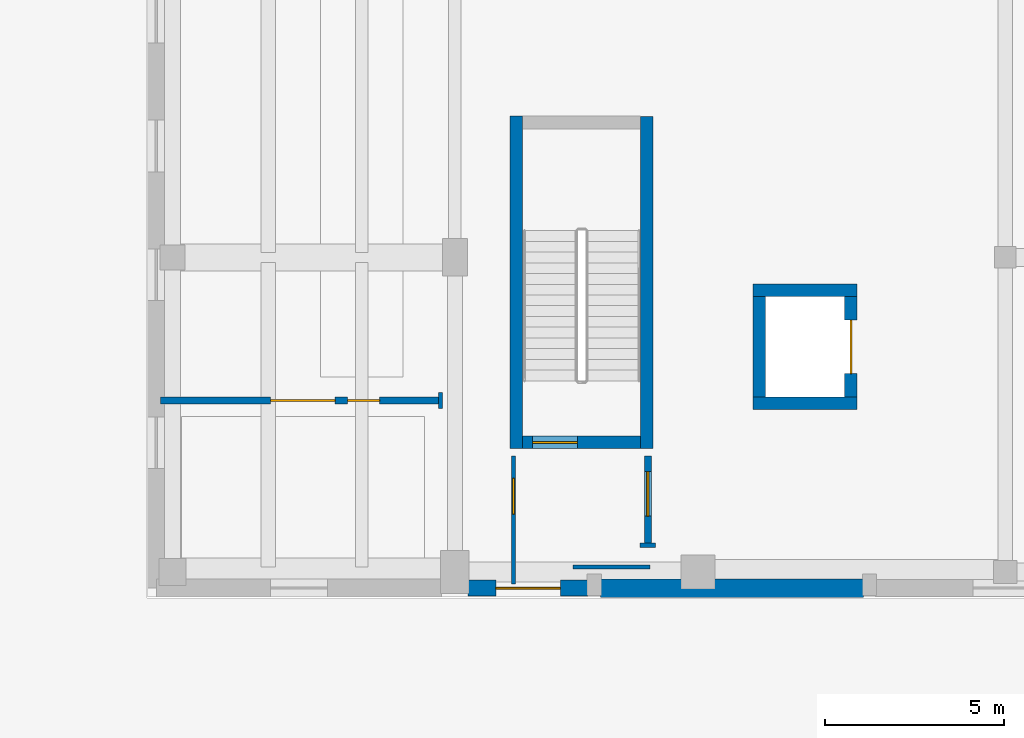
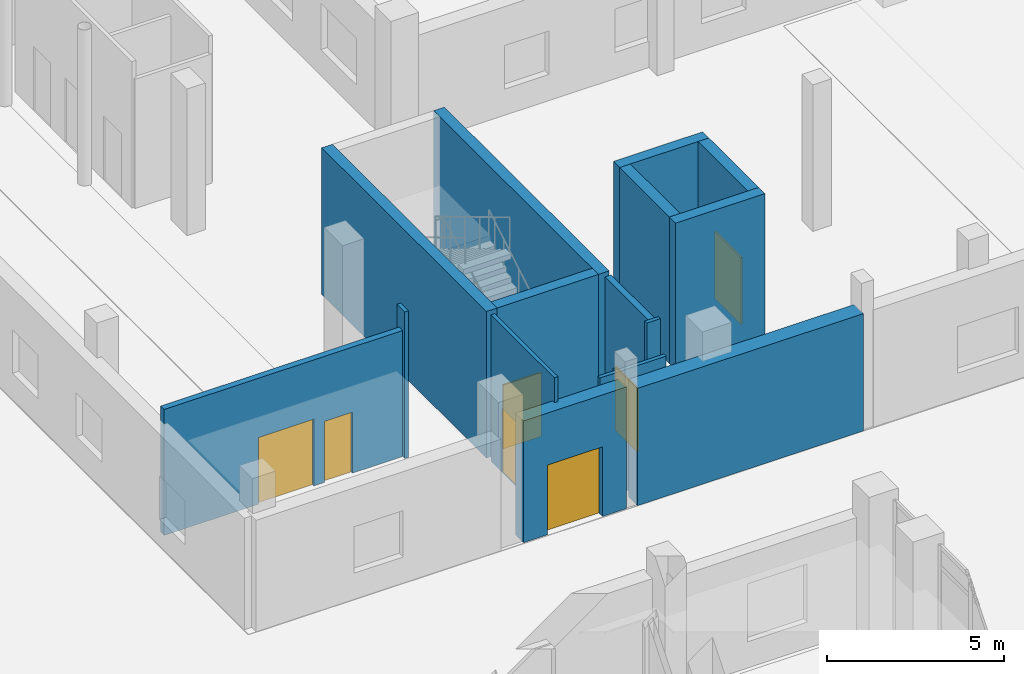
# One storey, part 47 of 74: 15 walls, 7 doors, 7 openings.
"""IFC4 building model written with IfcOpenShell, lengths in metres."""

import ifcopenshell
import ifcopenshell.guid

model = None  # the IFC model being written
_history = None  # IfcOwnerHistory: only IFC2X3 demands one
_inside = {}  # id of a spatial element -> (the spatial element, [elements in it])
_under = {}  # id of a project, library or spatial element -> (it, [spatial elements below it])
_declared = {}  # id of a project -> (the project, [libraries it declares])
_typed = {}  # id of a type object -> (the type object, [elements of that type])
_made_of = {}  # id of a material, layer set ... -> (it, [elements and type objects made of it])


def new_model(schema):
    """Start an empty IFC model of exactly this schema.

    Asked for "IFC4X3", IfcOpenShell would pick the latest addendum, in which some entities
    have other attributes; the version numbers below select the first issue.
    IFC2X3 requires an IfcOwnerHistory on every rooted entity: one is made here for all.
    """
    global model, _history
    if schema == "IFC4X3":
        model = ifcopenshell.file(schema_version=(4, 3, 0, 0))
    else:
        model = ifcopenshell.file(schema=schema)
    _inside.clear()
    _under.clear()
    _declared.clear()
    _typed.clear()
    _made_of.clear()
    _history = None
    if model.schema == "IFC2X3":
        org = make("IfcOrganization", Name="unknown")
        user = make(
            "IfcPersonAndOrganization",
            ThePerson=make("IfcPerson", FamilyName="unknown"),
            TheOrganization=org,
        )
        app = make(
            "IfcApplication",
            ApplicationDeveloper=org,
            Version="unknown",
            ApplicationFullName="unknown",
            ApplicationIdentifier="unknown",
        )
        _history = make(
            "IfcOwnerHistory",
            OwningUser=user,
            OwningApplication=app,
            ChangeAction="ADDED",
            CreationDate=0,
        )
    return model


def make(cls, **values):
    """One entity of the class cls with the attributes given. An attribute that is None is left unset."""
    return model.create_entity(
        cls, **{name: value for name, value in values.items() if value is not None}
    )


def rooted(cls, **values):
    """An entity with a GlobalId (a new one), such as an element, a storey or a relation."""
    return make(cls, GlobalId=ifcopenshell.guid.new(), OwnerHistory=_history, **values)


def si_unit(unit_type, name, prefix=None):
    """IfcSIUnit, for example si_unit("LENGTHUNIT", "METRE", prefix="MILLI")."""
    return make("IfcSIUnit", UnitType=unit_type, Prefix=prefix, Name=name)


def assignment(units):
    """IfcUnitAssignment: the units of a project."""
    return None if units is None else make("IfcUnitAssignment", Units=units)


def point(xyz):
    """IfcCartesianPoint."""
    return None if xyz is None else make("IfcCartesianPoint", Coordinates=xyz)


def direction(xyz):
    """IfcDirection."""
    return None if xyz is None else make("IfcDirection", DirectionRatios=xyz)


def frame(location, z_axis=None, x_axis=None):
    """IfcAxis2Placement3D, a coordinate frame: its origin and axes. An axis left out is left unset."""
    return make(
        "IfcAxis2Placement3D",
        Location=point(location),
        Axis=direction(z_axis),
        RefDirection=direction(x_axis),
    )


def frame_2d(location, x_axis=None):
    """IfcAxis2Placement2D, a coordinate frame in the plane: its origin and x axis."""
    return make(
        "IfcAxis2Placement2D", Location=point(location), RefDirection=direction(x_axis)
    )


def origin():
    """The frame at (0, 0, 0) with its axes left unset."""
    return frame((0.0, 0.0, 0.0))


def place(relative_to, where):
    """IfcLocalPlacement: puts the frame where relative to a parent placement (None: the world)."""
    return make(
        "IfcLocalPlacement", PlacementRelTo=relative_to, RelativePlacement=where
    )


def context(
    kind, dimensions, precision=None, world=None, true_north=None, identifier=None
):
    """IfcGeometricRepresentationContext, for example the 3D "Model" context."""
    return make(
        "IfcGeometricRepresentationContext",
        ContextIdentifier=identifier,
        ContextType=kind,
        CoordinateSpaceDimension=dimensions,
        Precision=precision,
        WorldCoordinateSystem=world,
        TrueNorth=true_north,
    )


def subcontext(parent, identifier, kind, view, scale=None):
    """IfcGeometricRepresentationSubContext, for example "Body" below "Model"."""
    return make(
        "IfcGeometricRepresentationSubContext",
        ContextIdentifier=identifier,
        ContextType=kind,
        ParentContext=parent,
        TargetScale=scale,
        TargetView=view,
    )


def project(units=None, contexts=None):
    """IfcProject with its units and contexts."""
    return rooted(
        "IfcProject",
        Name="project",
        RepresentationContexts=contexts,
        UnitsInContext=assignment(units),
    )


def spatial(cls, under=None, at=None, **own):
    """A site, building, storey or space (cls), placed at a placement, below another one or the project."""
    s = rooted(cls, ObjectPlacement=at, **own)
    if under is not None:
        _under.setdefault(under.id(), (under, []))[1].append(s)
    return s


def profile(cls, at=None, kind="AREA", **sizes):
    """A parametric profile (cls). Its sizes go by their IFC names, for example OverallWidth=200.0."""
    return make(cls, ProfileType=kind, Position=at, **sizes)


def rectangle(**sizes):
    """IfcRectangleProfileDef."""
    return profile("IfcRectangleProfileDef", **sizes)


def extrude(swept, where, along, depth):
    """IfcExtrudedAreaSolid: the profile swept, set in the frame where, extruded along a direction by depth."""
    return make(
        "IfcExtrudedAreaSolid",
        SweptArea=swept,
        Position=where,
        ExtrudedDirection=direction(along),
        Depth=depth,
    )


def shape(context_of_items, identifier, shape_type, items):
    """IfcShapeRepresentation: the items that make up one representation, for example the "Body"."""
    return make(
        "IfcShapeRepresentation",
        ContextOfItems=context_of_items,
        RepresentationIdentifier=identifier,
        RepresentationType=shape_type,
        Items=items,
    )


def material(Name=None, Category=None):
    """IfcMaterial."""
    return make("IfcMaterial", Name=Name, Category=Category)


def layer(
    of_material, thickness, ventilated=None, Name=None, Category=None, Priority=None
):
    """IfcMaterialLayer: one layer of a wall or slab, of a material (None: an air gap)."""
    return make(
        "IfcMaterialLayer",
        Material=of_material,
        LayerThickness=thickness,
        IsVentilated=ventilated,
        Name=Name,
        Category=Category,
        Priority=Priority,
    )


def layer_set(layers, Name=None):
    """IfcMaterialLayerSet."""
    return make("IfcMaterialLayerSet", MaterialLayers=layers, LayerSetName=Name)


def made_of(thing, what):
    """Note that an element or type object is made of a material, layer set ...; save() writes the relation."""
    if what is not None:
        _made_of.setdefault(what.id(), (what, []))[1].append(thing)
    return thing


def type_object(cls, material=None, **own):
    """A type object (cls), such as IfcWallType, which elements share."""
    return made_of(rooted(cls, **own), material)


def element(
    cls,
    number,
    at=None,
    inside=None,
    cuts=None,
    type_object=None,
    material=None,
    context=None,
    identifier="Body",
    shape_type=None,
    held_by="IfcProductDefinitionShape",
    body=None,
    shapes=None,
    **own,
):
    """One element of the class cls, such as IfcWall. Its Tag is "e" and its number.

    at: its placement. inside: the storey or other place that contains it. cuts: it is an
    opening in that element (IfcRelVoidsElement). A single representation is given by context,
    identifier, shape_type and body (its items); several are given by shapes. held_by: the class
    of the entity that holds the representations. save() writes the other relations.
    """
    e = rooted(cls, Tag="e%d" % number, ObjectPlacement=at, **own)
    if body is not None:
        shapes = [shape(context, identifier, shape_type, body)]
    if shapes is not None:
        e.Representation = make(held_by, Representations=shapes)
    if inside is not None:
        _inside.setdefault(inside.id(), (inside, []))[1].append(e)
    if cuts is not None:
        rooted(
            "IfcRelVoidsElement", RelatingBuildingElement=cuts, RelatedOpeningElement=e
        )
    if type_object is not None:
        _typed.setdefault(type_object.id(), (type_object, []))[1].append(e)
    return made_of(e, material)


def fill(opening, filler):
    """IfcRelFillsElement: the door or window that sits in an opening."""
    return rooted(
        "IfcRelFillsElement",
        RelatingOpeningElement=opening,
        RelatedBuildingElement=filler,
    )


def aggregate(whole, parts):
    """IfcRelAggregates: a whole, such as a stair, and the parts it consists of."""
    return rooted("IfcRelAggregates", RelatingObject=whole, RelatedObjects=parts)


def save(model, path):
    """Write the relations noted so far, then the file.

    IfcRelAggregates (storeys below a building ...), IfcRelContainedInSpatialStructure (elements
    in a storey), IfcRelDefinesByType, IfcRelAssociatesMaterial and IfcRelDeclares: one each for
    every whole, place, type object, material and project.
    """
    for whole, parts in _under.values():
        aggregate(whole, parts)
    for where, things in _inside.values():
        rooted(
            "IfcRelContainedInSpatialStructure",
            RelatedElements=things,
            RelatingStructure=where,
        )
    for kind, things in _typed.values():
        rooted("IfcRelDefinesByType", RelatedObjects=things, RelatingType=kind)
    for what, things in _made_of.values():
        rooted("IfcRelAssociatesMaterial", RelatedObjects=things, RelatingMaterial=what)
    for by, libraries in _declared.values():
        rooted("IfcRelDeclares", RelatingContext=by, RelatedDefinitions=libraries)
    model.write(path)


model = new_model("IFC4")

# Units and contexts
model_context = context("Model", 3, precision=1e-05, world=origin(), true_north=direction((0.0, 1.0)))
body_context = subcontext(model_context, "Body", "Model", "MODEL_VIEW")
ifc_project = project(units=[si_unit("LENGTHUNIT", "METRE"), si_unit("AREAUNIT", "SQUARE_METRE"), si_unit("VOLUMEUNIT", "CUBIC_METRE"), si_unit("PLANEANGLEUNIT", "RADIAN"), si_unit("MASSUNIT", "GRAM", prefix="KILO")], contexts=[model_context])

# Site, building, storey
site_placement = place(None, origin())
site = spatial("IfcSite", under=ifc_project, at=site_placement, CompositionType="ELEMENT")
building_placement = place(site_placement, origin())
building = spatial("IfcBuilding", under=site, at=building_placement, Name="Soyqirgoq Riverine Aquarium", CompositionType="ELEMENT")
storey_placement = place(building_placement, origin())
storey = spatial("IfcBuildingStorey", under=building, at=storey_placement, Name="L01", CompositionType="ELEMENT", Elevation=0.0)

# Walls
ifc_material_1 = material(Name="Concrete C40/50", Category="concrete")
ifc_layer_1 = layer(ifc_material_1, 0.35009765625)
ifc_layer_set_1 = layer_set([ifc_layer_1], Name="Concrete C40/50")
wall_type_1 = type_object("IfcWallType", Name="CoreShearWall_350_C40", PredefinedType="SHEAR", material=ifc_layer_set_1)
for number, where, z_axis, x_axis, name in (
    (1, (127.97509765625, 60.14990234375, 0.0), (0.0, 0.0, 1.0), (0.0, 1.0, 0.0), "CORE-7 L01 Stair Core Shear Wall SIDE1"),
    (2, (124.324951171875, 69.449951171875, 0.0), (0.0, 0.0, 1.0), (0.0, -1.0, 0.0), "CORE-7 L01 Stair Core Shear Wall SIDE2"),
):
    element("IfcWall", number, at=place(storey_placement, frame(where, z_axis=z_axis, x_axis=x_axis)), inside=storey, type_object=wall_type_1, Name=name, PredefinedType="SHEAR", context=body_context, shape_type="SweptSolid", body=[
        extrude(rectangle(XDim=9.300048828125, YDim=0.35009765625, at=frame_2d((4.64990234375, 0.0))), origin(), (0.0, 0.0, 1.0), 5.050048828125),
    ])

# Wall, opening, door
wall_1_placement = place(storey_placement, frame((124.5, 60.324951171875, 0.0), z_axis=(0.0, 0.0, 1.0), x_axis=(1.0, 0.0, 0.0)))
wall_1 = element("IfcWall", 3, at=wall_1_placement, inside=storey, type_object=wall_type_1, Name="CORE-7 L01 Stair Core Shear Wall FRONT", PredefinedType="SHEAR", context=body_context, shape_type="SweptSolid", body=[
    extrude(rectangle(XDim=3.300048828125, YDim=0.35009765625, at=frame_2d((1.64990234375, 0.0))), origin(), (0.0, 0.0, 1.0), 5.050048828125),
])
opening_1_placement = place(wall_1_placement, frame((0.280029296875, 0.0, 0.0)))
opening_1 = element("IfcOpeningElement", 4, at=opening_1_placement, cuts=wall_1, Name="Opening FD-01", PredefinedType="OPENING", context=body_context, shape_type="SweptSolid", body=[
    extrude(rectangle(XDim=1.25, YDim=2.199951171875, at=frame_2d((0.625, 1.10009765625))), frame((0.0, 0.18505859375, 0.0), z_axis=(0.0, -1.0, 0.0), x_axis=(1.0, 0.0, 0.0)), (0.0, 0.0, 1.0), 0.3701171875),
])
ifc_material_2 = material(Name="Galvanised steel fire-resisting stair door", Category="steel")
door_type_1 = type_object("IfcDoorType", Name="StairFireDoor_1250x2200_EI90", OperationType="NOTDEFINED", PredefinedType="DOOR", material=ifc_material_2)
door_1_placement = place(opening_1_placement, origin())
door_1 = element("IfcDoor", 5, at=door_1_placement, inside=storey, type_object=door_type_1, Name="DR-ST-8-L01 ST-8 L01 Fire-Rated Stairwell Door", OperationType="SINGLE_SWING_RIGHT", OverallHeight=2.199951171875, OverallWidth=1.25, PredefinedType="DOOR", context=body_context, shape_type="SweptSolid", body=[
    extrude(rectangle(XDim=1.25, YDim=2.199951171875, at=frame_2d((0.625, 1.10009765625))), frame((0.0, 0.02490234375, 0.0), z_axis=(0.0, -1.0, 0.0), x_axis=(1.0, 0.0, 0.0)), (0.0, 0.0, 1.0), 0.050048828125),
])
fill(opening_1, door_1)

# Wall
wall_2_placement = place(storey_placement, frame((130.945068359375, 61.419921875, 0.0), z_axis=(0.0, 0.0, 1.0), x_axis=(1.0, 0.0, 0.0)))
element("IfcWall", 6, at=wall_2_placement, inside=storey, type_object=wall_type_1, Name="Lift GL-2 Shaft Wall L01 1", PredefinedType="SHEAR", context=body_context, shape_type="SweptSolid", body=[
    extrude(rectangle(XDim=2.909912109375, YDim=0.35009765625, at=frame_2d((1.455078125, 0.0))), origin(), (0.0, 0.0, 1.0), 5.050048828125),
])

# Wall, opening, door
wall_3_placement = place(storey_placement, frame((133.679931640625, 61.594970703125, 0.0), z_axis=(0.0, 0.0, 1.0), x_axis=(0.0, 1.0, 0.0)))
wall_3 = element("IfcWall", 7, at=wall_3_placement, inside=storey, type_object=wall_type_1, Name="Lift GL-2 Shaft Wall L01 2", PredefinedType="SHEAR", context=body_context, shape_type="SweptSolid", body=[
    extrude(rectangle(XDim=2.81005859375, YDim=0.35009765625, at=frame_2d((1.405029296875, 0.0))), origin(), (0.0, 0.0, 1.0), 5.050048828125),
])
opening_2_placement = place(wall_3_placement, frame((0.655029296875, 0.0, 0.0)))
opening_2 = element("IfcOpeningElement", 8, at=opening_2_placement, cuts=wall_3, Name="Opening LD-02", PredefinedType="OPENING", context=body_context, shape_type="SweptSolid", body=[
    extrude(rectangle(XDim=1.5, YDim=2.300048828125, at=frame_2d((0.75, 1.14990234375))), frame((0.0, 0.18505859375, 0.0), z_axis=(0.0, -1.0, 0.0), x_axis=(1.0, 0.0, 0.0)), (0.0, 0.0, 1.0), 0.3701171875),
])
ifc_material_3 = material(Name="Heavy-duty stainless steel bi-parting lift landing door", Category="steel")
door_type_2 = type_object("IfcDoorType", Name="GoodsLiftLandingDoor_1500x2300", OperationType="SLIDING_TO_LEFT", PredefinedType="DOOR", material=ifc_material_3)
door_2_placement = place(opening_2_placement, origin())
door_2 = element("IfcDoor", 9, at=door_2_placement, inside=storey, type_object=door_type_2, Name="LD-GL-2-L01 Lift GL-2 L01 Sliding Landing Door", OperationType="SLIDING_TO_LEFT", OverallHeight=2.300048828125, OverallWidth=1.5, PredefinedType="DOOR", context=body_context, shape_type="SweptSolid", body=[
    extrude(rectangle(XDim=1.5, YDim=2.300048828125, at=frame_2d((0.75, 1.14990234375))), frame((0.0, 0.02490234375, 0.0), z_axis=(0.0, -1.0, 0.0), x_axis=(1.0, 0.0, 0.0)), (0.0, 0.0, 1.0), 0.050048828125),
])
fill(opening_2, door_2)

# Walls
wall_4_placement = place(storey_placement, frame((133.85498046875, 64.580078125, 0.0), z_axis=(0.0, 0.0, 1.0), x_axis=(-1.0, 0.0, 0.0)))
element("IfcWall", 10, at=wall_4_placement, inside=storey, type_object=wall_type_1, Name="Lift GL-2 Shaft Wall L01 3", PredefinedType="SHEAR", context=body_context, shape_type="SweptSolid", body=[
    extrude(rectangle(XDim=2.909912109375, YDim=0.35009765625, at=frame_2d((1.455078125, 0.0))), origin(), (0.0, 0.0, 1.0), 5.050048828125),
])
wall_5_placement = place(storey_placement, frame((131.1201171875, 64.405029296875, 0.0), z_axis=(0.0, 0.0, 1.0), x_axis=(0.0, -1.0, 0.0)))
element("IfcWall", 11, at=wall_5_placement, inside=storey, type_object=wall_type_1, Name="Lift GL-2 Shaft Wall L01 4", PredefinedType="SHEAR", context=body_context, shape_type="SweptSolid", body=[
    extrude(rectangle(XDim=2.81005859375, YDim=0.35009765625, at=frame_2d((1.405029296875, 0.0))), origin(), (0.0, 0.0, 1.0), 5.050048828125),
])

# Wall, opening, door
ifc_material_4 = material(Name="Lightweight steel-stud gypsum partition", Category="steel")
ifc_layer_2 = layer(ifc_material_4, 0.1201171875)
ifc_layer_set_2 = layer_set([ifc_layer_2], Name="Lightweight steel-stud gypsum partition")
wall_type_2 = type_object("IfcWallType", Name="PartitionWall_120_Std", PredefinedType="PARTITIONING", material=ifc_layer_set_2)
wall_6_placement = place(storey_placement, frame((124.239990234375, 56.3701171875, 0.0), z_axis=(0.0, 0.0, 1.0), x_axis=(0.0, 1.0, 0.0)))
wall_6 = element("IfcWall", 12, at=wall_6_placement, inside=storey, type_object=wall_type_2, Name="Live Feed Cold Kitchen Partition Wall", PredefinedType="PARTITIONING", context=body_context, shape_type="SweptSolid", body=[
    extrude(rectangle(XDim=3.579833984375, YDim=0.1201171875, at=frame_2d((1.7900390625, 0.0))), origin(), (0.0, 0.0, 1.0), 5.050048828125),
])
opening_3_placement = place(wall_6_placement, frame((1.95361328125, 0.0, 0.0)))
opening_3 = element("IfcOpeningElement", 13, at=opening_3_placement, cuts=wall_6, Name="Opening ID-03", PredefinedType="OPENING", context=body_context, shape_type="SweptSolid", body=[
    extrude(rectangle(XDim=1.0, YDim=2.199951171875, at=frame_2d((0.5, 1.10009765625))), frame((0.0, 0.070068359375, 0.0), z_axis=(0.0, -1.0, 0.0), x_axis=(1.0, 0.0, 0.0)), (0.0, 0.0, 1.0), 0.14013671875),
])
ifc_material_5 = material(Name="Solid-core ash veneer room door", Category="wood")
door_type_3 = type_object("IfcDoorType", Name="RoomDoor_1000x2200", OperationType="NOTDEFINED", PredefinedType="DOOR", material=ifc_material_5)
door_3_placement = place(opening_3_placement, origin())
door_3 = element("IfcDoor", 14, at=door_3_placement, inside=storey, type_object=door_type_3, Name="IDR-V7-L01-0218 Live Feed Cold Kitchen Door", OperationType="SINGLE_SWING_LEFT", OverallHeight=2.199951171875, OverallWidth=1.0, PredefinedType="DOOR", context=body_context, shape_type="SweptSolid", body=[
    extrude(rectangle(XDim=1.0, YDim=2.199951171875, at=frame_2d((0.5, 1.10009765625))), frame((0.0, 0.02490234375, 0.0), z_axis=(0.0, -1.0, 0.0), x_axis=(1.0, 0.0, 0.0)), (0.0, 0.0, 1.0), 0.050048828125),
])
fill(opening_3, door_3)

# Walls
wall_7_placement = place(storey_placement, frame((128.06005859375, 56.840087890625, 0.0), z_axis=(0.0, 0.0, 1.0), x_axis=(-1.0, 0.0, 0.0)))
element("IfcWall", 15, at=wall_7_placement, inside=storey, type_object=wall_type_2, Name="Live Feed Cold Kitchen Partition Wall", PredefinedType="PARTITIONING", context=body_context, shape_type="SweptSolid", body=[
    extrude(rectangle(XDim=2.150146484375, YDim=0.1201171875, at=frame_2d((1.0751953125, 0.0))), origin(), (0.0, 0.0, 1.0), 4.18994140625),
])
for number, where, z_axis, x_axis, name in (
    (16, (128.219970703125, 57.449951171875, 0.0), (0.0, 0.0, 1.0), (-1.0, 0.0, 0.0), "V7 L01 Jamb Return Pier"),
    (17, (122.199951171875, 61.719970703125, 0.0), (0.0, 0.0, 1.0), (0.0, -1.0, 0.0), "V7 L01 Jamb Return Pier"),
):
    element("IfcWall", number, at=place(storey_placement, frame(where, z_axis=z_axis, x_axis=x_axis)), inside=storey, type_object=wall_type_2, Name=name, PredefinedType="PARTITIONING", context=body_context, shape_type="SweptSolid", body=[
        extrude(rectangle(XDim=0.43994140625, YDim=0.1201171875, at=frame_2d((0.219970703125, 0.0))), origin(), (0.0, 0.0, 1.0), 5.050048828125),
    ])

# Wall, opening, door
ifc_material_6 = material(Name="Fire-rated calcium silicate twin-stud partition", Category="gypsum")
ifc_layer_3 = layer(ifc_material_6, 0.199951171875)
ifc_layer_set_3 = layer_set([ifc_layer_3], Name="Fire-rated calcium silicate twin-stud partition")
wall_type_3 = type_object("IfcWallType", Name="PartitionWall_200_EI90", PredefinedType="PARTITIONING", material=ifc_layer_set_3)
wall_8_placement = place(storey_placement, frame((128.0, 57.449951171875, 0.0), z_axis=(0.0, 0.0, 1.0), x_axis=(0.0, 1.0, 0.0)))
wall_8 = element("IfcWall", 18, at=wall_8_placement, inside=storey, type_object=wall_type_3, Name="Lift and Stair Lobby ST-8 and Protected Exit Passageway Fire Enclosure Wall", PredefinedType="PARTITIONING", context=body_context, shape_type="SweptSolid", body=[
    extrude(rectangle(XDim=2.5, YDim=0.199951171875, at=frame_2d((1.25, 0.0))), origin(), (0.0, 0.0, 1.0), 5.050048828125),
])
opening_4_placement = place(wall_8_placement, frame((0.8125, 0.0, 0.0)))
opening_4 = element("IfcOpeningElement", 19, at=opening_4_placement, cuts=wall_8, Name="Opening FD-01", PredefinedType="OPENING", context=body_context, shape_type="SweptSolid", body=[
    extrude(rectangle(XDim=1.25, YDim=2.199951171875, at=frame_2d((0.625, 1.10009765625))), frame((0.0, 0.10986328125, 0.0), z_axis=(0.0, -1.0, 0.0), x_axis=(1.0, 0.0, 0.0)), (0.0, 0.0, 1.0), 0.219970703125),
])
door_4_placement = place(opening_4_placement, origin())
door_4 = element("IfcDoor", 20, at=door_4_placement, inside=storey, type_object=door_type_1, Name="IDR-V7-L01-0214 Lift and Stair Lobby ST-8 and Protected Exit Passageway Egress Fire Door", OperationType="SINGLE_SWING_LEFT", OverallHeight=2.199951171875, OverallWidth=1.25, PredefinedType="DOOR", context=body_context, shape_type="SweptSolid", body=[
    extrude(rectangle(XDim=1.25, YDim=2.199951171875, at=frame_2d((0.625, 1.10009765625))), frame((0.0, 0.02490234375, 0.0), z_axis=(0.0, -1.0, 0.0), x_axis=(1.0, 0.0, 0.0)), (0.0, 0.0, 1.0), 0.050048828125),
])
fill(opening_4, door_4)

# Wall, openings, doors
wall_9_placement = place(storey_placement, frame((122.199951171875, 61.5, 0.0), z_axis=(0.0, 0.0, 1.0), x_axis=(-1.0, 0.0, 0.0)))
wall_9 = element("IfcWall", 21, at=wall_9_placement, inside=storey, type_object=wall_type_3, Name="Fire Control Room Partition Wall", PredefinedType="PARTITIONING", context=body_context, shape_type="SweptSolid", body=[
    extrude(rectangle(XDim=7.829833984375, YDim=0.199951171875, at=frame_2d((3.9150390625, 0.0))), origin(), (0.0, 0.0, 1.0), 4.340087890625),
])
opening_5_placement = place(wall_9_placement, frame((2.949951171875, 0.0, 0.0)))
opening_5 = element("IfcOpeningElement", 22, at=opening_5_placement, cuts=wall_9, Name="Opening PD-01", PredefinedType="OPENING", context=body_context, shape_type="SweptSolid", body=[
    extrude(rectangle(XDim=1.800048828125, YDim=2.300048828125, at=frame_2d((0.89990234375, 1.14990234375))), frame((0.0, 0.10986328125, 0.0), z_axis=(0.0, -1.0, 0.0), x_axis=(1.0, 0.0, 0.0)), (0.0, 0.0, 1.0), 0.219970703125),
])
opening_6_placement = place(wall_9_placement, frame((1.699951171875, 0.0, 0.0)))
opening_6 = element("IfcOpeningElement", 23, at=opening_6_placement, cuts=wall_9, Name="Opening RD-01", PredefinedType="OPENING", context=body_context, shape_type="SweptSolid", body=[
    extrude(rectangle(XDim=0.89990234375, YDim=2.10009765625, at=frame_2d((0.449951171875, 1.050048828125))), frame((0.0, 0.10986328125, 0.0), z_axis=(0.0, -1.0, 0.0), x_axis=(1.0, 0.0, 0.0)), (0.0, 0.0, 1.0), 0.219970703125),
])
ifc_material_7 = material(Name="Louvred acoustic steel fire door", Category="steel")
door_type_4 = type_object("IfcDoorType", Name="PlantDoubleDoor_1800x2300_EI90", OperationType="DOUBLE_DOOR_SINGLE_SWING", PredefinedType="DOOR", material=ifc_material_7)
door_5_placement = place(opening_5_placement, origin())
door_5 = element("IfcDoor", 24, at=door_5_placement, inside=storey, type_object=door_type_4, Name="IDR-V7-L01-0215 Fire Control Room Door", OperationType="DOUBLE_DOOR_SINGLE_SWING", OverallHeight=2.300048828125, OverallWidth=1.800048828125, PredefinedType="DOOR", context=body_context, shape_type="SweptSolid", body=[
    extrude(rectangle(XDim=1.800048828125, YDim=2.300048828125, at=frame_2d((0.89990234375, 1.14990234375))), frame((0.0, 0.02490234375, 0.0), z_axis=(0.0, -1.0, 0.0), x_axis=(1.0, 0.0, 0.0)), (0.0, 0.0, 1.0), 0.050048828125),
])
fill(opening_5, door_5)
ifc_material_8 = material(Name="Flush steel service riser fire door", Category="steel")
door_type_5 = type_object("IfcDoorType", Name="RiserAccessDoor_900x2100_EI60", OperationType="NOTDEFINED", PredefinedType="DOOR", material=ifc_material_8)
door_6_placement = place(opening_6_placement, origin())
door_6 = element("IfcDoor", 25, at=door_6_placement, inside=storey, type_object=door_type_5, Name="IDR-V7-L01-0219 Life Support Service Corridor Access Door", OperationType="SINGLE_SWING_RIGHT", OverallHeight=2.10009765625, OverallWidth=0.89990234375, PredefinedType="DOOR", context=body_context, shape_type="SweptSolid", body=[
    extrude(rectangle(XDim=0.89990234375, YDim=2.10009765625, at=frame_2d((0.449951171875, 1.050048828125))), frame((0.0, 0.02490234375, 0.0), z_axis=(0.0, -1.0, 0.0), x_axis=(1.0, 0.0, 0.0)), (0.0, 0.0, 1.0), 0.050048828125),
])
fill(opening_6, door_6)

# Wall, opening, door
ifc_material_9 = material(Name="Honed travertine limestone cavity wall", Category="masonry")
ifc_layer_4 = layer(ifc_material_9, 0.449951171875)
ifc_layer_set_4 = layer_set([ifc_layer_4], Name="Honed travertine limestone cavity wall")
wall_type_4 = type_object("IfcWallType", Name="TravertineCavityWall_450", PredefinedType="SOLIDWALL", material=ifc_layer_set_4)
wall_10_placement = place(storey_placement, frame((126.330078125, 56.25, 0.0), z_axis=(0.0, 0.0, 1.0), x_axis=(-1.0, 0.0, 0.0)))
wall_10 = element("IfcWall", 26, at=wall_10_placement, inside=storey, type_object=wall_type_4, Name="V7 L01 Exterior Travertine Wall 0380", PredefinedType="SOLIDWALL", context=body_context, shape_type="SweptSolid", body=[
    extrude(rectangle(XDim=3.360107421875, YDim=0.449951171875, at=frame_2d((1.68017578125, 0.0))), origin(), (0.0, 0.0, 1.0), 4.18994140625),
])
opening_7_placement = place(wall_10_placement, frame((0.780029296875, 0.0, 0.0)))
opening_7 = element("IfcOpeningElement", 27, at=opening_7_placement, cuts=wall_10, Name="Opening SD-02", PredefinedType="OPENING", context=body_context, shape_type="SweptSolid", body=[
    extrude(rectangle(XDim=1.800048828125, YDim=2.39990234375, at=frame_2d((0.89990234375, 1.199951171875))), frame((0.0, 0.23486328125, 0.0), z_axis=(0.0, -1.0, 0.0), x_axis=(1.0, 0.0, 0.0)), (0.0, 0.0, 1.0), 0.469970703125),
])
ifc_material_10 = material(Name="Powder-coated galvanised steel fire door", Category="steel")
door_type_6 = type_object("IfcDoorType", Name="ServiceDoubleDoor_1800x2400_EI60", OperationType="DOUBLE_DOOR_SINGLE_SWING", PredefinedType="DOOR", material=ifc_material_10)
door_7_placement = place(opening_7_placement, origin())
door_7 = element("IfcDoor", 28, at=door_7_placement, inside=storey, type_object=door_type_6, Name="EDR-EXIT-ST-8-L01 V7 L01 Final Exit Discharge Door ST-8", OperationType="DOUBLE_DOOR_SINGLE_SWING", OverallHeight=2.39990234375, OverallWidth=1.800048828125, PredefinedType="DOOR", context=body_context, shape_type="SweptSolid", body=[
    extrude(rectangle(XDim=1.800048828125, YDim=2.39990234375, at=frame_2d((0.89990234375, 1.199951171875))), frame((0.0, 0.02490234375, 0.0), z_axis=(0.0, -1.0, 0.0), x_axis=(1.0, 0.0, 0.0)), (0.0, 0.0, 1.0), 0.050048828125),
])
fill(opening_7, door_7)

# Wall
ifc_material_11 = material(Name="Honed travertine limestone cavity wall", Category="masonry")
ifc_layer_5 = layer(ifc_material_11, 0.52001953125)
ifc_layer_set_5 = layer_set([ifc_layer_5], Name="Honed travertine limestone cavity wall")
wall_type_5 = type_object("IfcWallType", Name="TravertineCavityWall_520", PredefinedType="SOLIDWALL", material=ifc_layer_set_5)
wall_11_placement = place(storey_placement, frame((134.030029296875, 56.25, 0.0), z_axis=(0.0, 0.0, 1.0), x_axis=(-1.0, 0.0, 0.0)))
element("IfcWall", 29, at=wall_11_placement, inside=storey, type_object=wall_type_5, Name="V7 L01 Exterior Travertine Wall 0379", PredefinedType="SOLIDWALL", context=body_context, shape_type="SweptSolid", body=[
    extrude(rectangle(XDim=7.360107421875, YDim=0.52001953125, at=frame_2d((3.68017578125, 0.0))), origin(), (0.0, 0.0, 1.0), 4.0400390625),
])

save(model, "model.ifc")
